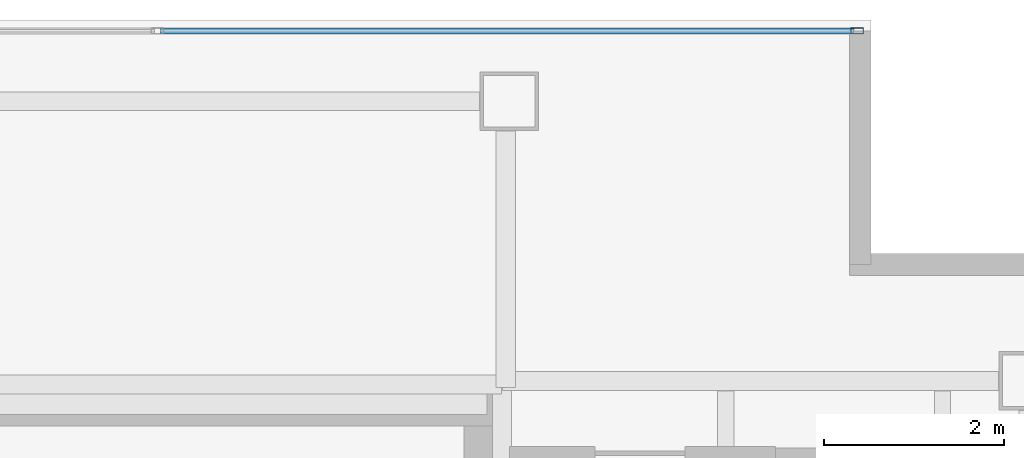
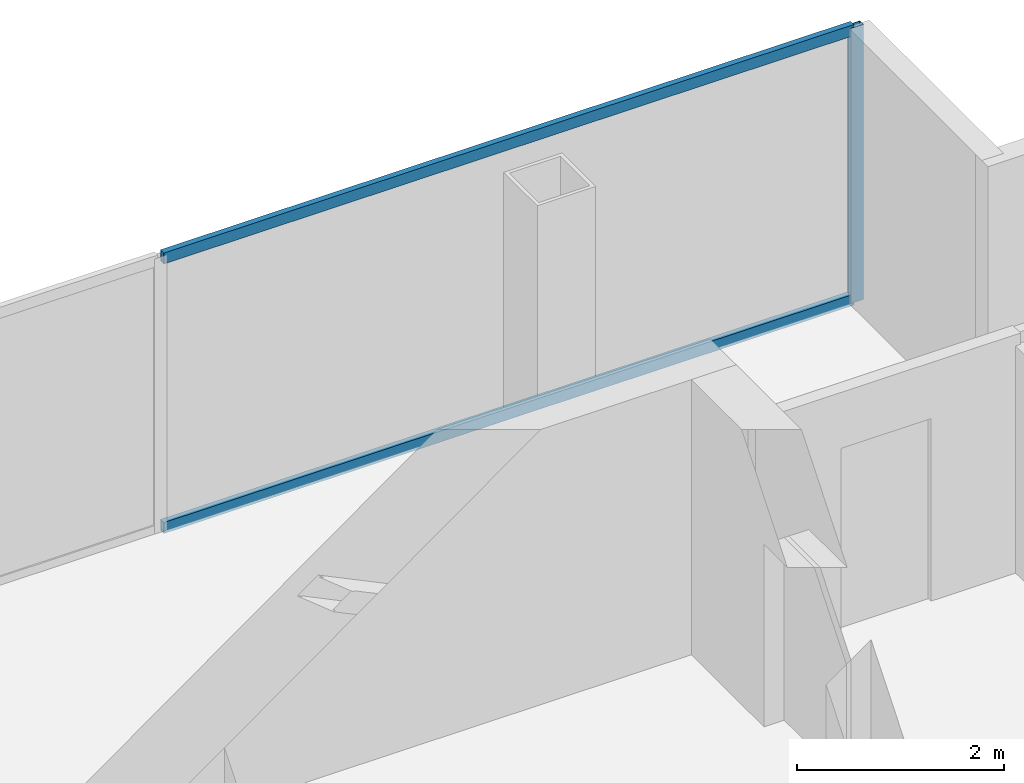
# One storey, part 18 of 23: 3 members, 1 element without a shape of its own.
"""IFC4 building model written with IfcOpenShell, lengths in metres."""

from ifc_helpers import new_model, si_unit, direction, frame, origin, origin_2d, place, context, subcontext, project, spatial, hollow_rectangle, extrude, material, material_profile, profile_set, type_object, element, aggregate, save


model = new_model("IFC4")

# Units and contexts
model_context = context("Model", 3, precision=1e-05, world=origin(), true_north=direction((0.0, 1.0)))
body_context = subcontext(model_context, "Body", "Model", "MODEL_VIEW")
ifc_project = project(units=[si_unit("LENGTHUNIT", "METRE"), si_unit("AREAUNIT", "SQUARE_METRE"), si_unit("VOLUMEUNIT", "CUBIC_METRE"), si_unit("PLANEANGLEUNIT", "RADIAN"), si_unit("MASSUNIT", "GRAM", prefix="KILO")], contexts=[model_context])

# Site, building, storey
site_placement = place(None, origin())
site = spatial("IfcSite", under=ifc_project, at=site_placement, CompositionType="ELEMENT")
building_placement = place(site_placement, origin())
building = spatial("IfcBuilding", under=site, at=building_placement, Name="Cobrela Telecom Tower", CompositionType="ELEMENT")
storey_placement = place(building_placement, frame((0.0, 0.0, 262.14990234375)))
storey = spatial("IfcBuildingStorey", under=building, at=storey_placement, Name="L68", CompositionType="ELEMENT", Elevation=262.14990234375)

# Curtain wall, members
ifc_material = material(Name="Anodized Bronze Aluminium 6063-T6", Category="aluminium")
curtain_wall_type = type_object("IfcCurtainWallType", Name="CW-SYS-OFF-HI", PredefinedType="USERDEFINED", material=ifc_material)
curtain_wall_placement = place(storey_placement, origin())
curtain_wall = element("IfcCurtainWall", 1, at=curtain_wall_placement, inside=storey, type_object=curtain_wall_type, Name="L68 Unitised Bronze Curtain Wall 05", ObjectType="UNITISED CURTAIN WALL", PredefinedType="USERDEFINED")
ifc_material_profile_1 = material_profile(ifc_material, hollow_rectangle(XDim=0.070068359375, YDim=0.139892578125, WallThickness=0.00390625, at=origin_2d()), Name="ALU 70x140x4")
ifc_profile_set_1 = profile_set([ifc_material_profile_1], Name="Anodized Bronze Aluminium 6063-T6")
member_type_1 = type_object("IfcMemberType", Name="CW-SYS-OFF-HI-MUL", PredefinedType="MULLION", material=ifc_profile_set_1)
member_1_placement = place(storey_placement, frame((18.2548828125, 39.8798828125, 0.0), z_axis=(0.0, 0.0, 1.0), x_axis=(0.0, 1.0, 0.0)))
member_1 = element("IfcMember", 2, at=member_1_placement, type_object=member_type_1, Name="CW-OFF-HI mullion 3", PredefinedType="MULLION", context=body_context, shape_type="SweptSolid", body=[
    extrude(hollow_rectangle(XDim=0.070068359375, YDim=0.139892578125, WallThickness=0.00390625, at=origin_2d()), origin(), (0.0, 0.0, 1.0), 3.239990234375),
])
ifc_material_profile_2 = material_profile(ifc_material, hollow_rectangle(XDim=0.06494140625, YDim=0.1298828125, WallThickness=0.00390625, at=origin_2d()), Name="ALU 65x130x4")
ifc_profile_set_2 = profile_set([ifc_material_profile_2], Name="Anodized Bronze Aluminium 6063-T6")
member_type_2 = type_object("IfcMemberType", Name="CW-SYS-OFF-HI-TRN", PredefinedType="USERDEFINED", material=ifc_profile_set_2)
member_2_placement = place(storey_placement, frame((10.534912109375, 39.8798828125, 0.03271484375), z_axis=(1.0, 0.0, 0.0), x_axis=(0.0, 1.0, 0.0)))
member_2 = element("IfcMember", 3, at=member_2_placement, type_object=member_type_2, Name="CW-OFF-HI transom 2.1", ObjectType="TRANSOM", PredefinedType="USERDEFINED", context=body_context, shape_type="SweptSolid", body=[
    extrude(hollow_rectangle(XDim=0.06494140625, YDim=0.1298828125, WallThickness=0.00390625, at=origin_2d()), origin(), (0.0, 0.0, 1.0), 7.68505859375),
])
member_3_placement = place(storey_placement, frame((10.534912109375, 39.8798828125, 3.20751953125), z_axis=(1.0, 0.0, 0.0), x_axis=(0.0, 1.0, 0.0)))
member_3 = element("IfcMember", 4, at=member_3_placement, type_object=member_type_2, Name="CW-OFF-HI transom 2.2", ObjectType="TRANSOM", PredefinedType="USERDEFINED", context=body_context, shape_type="SweptSolid", body=[
    extrude(hollow_rectangle(XDim=0.06494140625, YDim=0.1298828125, WallThickness=0.00390625, at=origin_2d()), origin(), (0.0, 0.0, 1.0), 7.68505859375),
])
aggregate(curtain_wall, [member_1, member_2, member_3])

save(model, "model.ifc")
